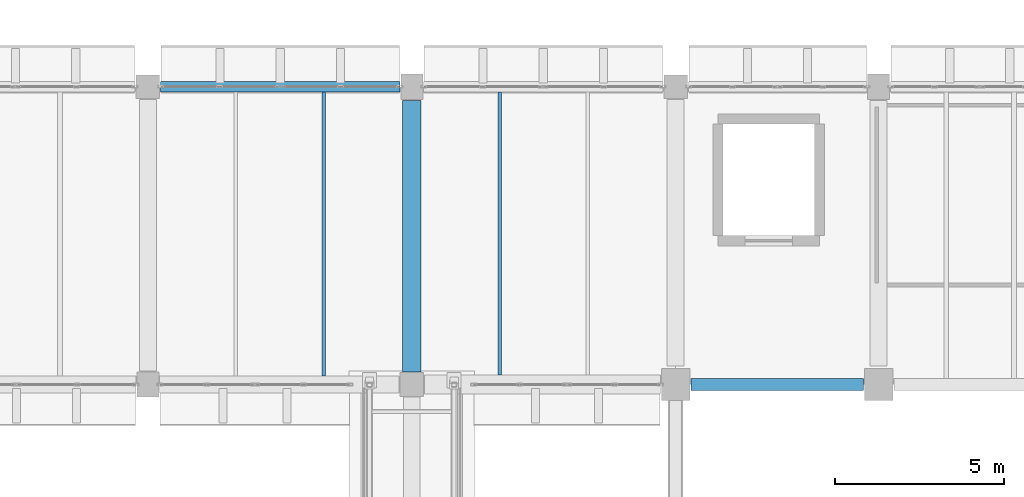
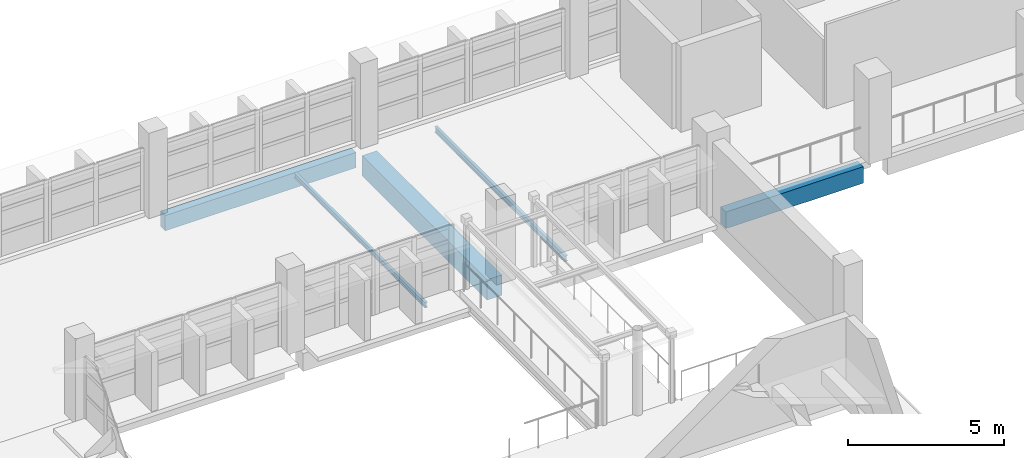
# One storey, part 28 of 75: 5 beams.
"""IFC4 building model written with IfcOpenShell, lengths in metres."""

from ifc_helpers import new_model, si_unit, direction, frame, origin, origin_2d, place, context, subcontext, project, spatial, rectangle, i_section, extrude, material, material_profile, profile_set, type_object, element, save


model = new_model("IFC4")

# Units and contexts
model_context = context("Model", 3, precision=1e-05, world=origin(), true_north=direction((0.0, 1.0)))
body_context = subcontext(model_context, "Body", "Model", "MODEL_VIEW")
ifc_project = project(units=[si_unit("LENGTHUNIT", "METRE"), si_unit("AREAUNIT", "SQUARE_METRE"), si_unit("VOLUMEUNIT", "CUBIC_METRE"), si_unit("PLANEANGLEUNIT", "RADIAN"), si_unit("MASSUNIT", "GRAM", prefix="KILO")], contexts=[model_context])

# Site, building, storey
site_placement = place(None, origin())
site = spatial("IfcSite", under=ifc_project, at=site_placement, CompositionType="ELEMENT")
building_placement = place(site_placement, origin())
building = spatial("IfcBuilding", under=site, at=building_placement, Name="Varnakota Cinema and Media Centre", CompositionType="ELEMENT")
storey_placement = place(building_placement, frame((0.0, 0.0, 8.39990234375)))
storey = spatial("IfcBuildingStorey", under=building, at=storey_placement, Name="L02", CompositionType="ELEMENT", Elevation=8.39990234375)

# Beams
ifc_material_1 = material(Name="Concrete M35", Category="concrete")
ifc_material_profile_1 = material_profile(ifc_material_1, rectangle(XDim=0.550048828125, YDim=0.800048828125, at=origin_2d()), Name="RCB 550x800")
ifc_profile_set_1 = profile_set([ifc_material_profile_1], Name="Concrete M35")
beam_type_1 = type_object("IfcBeamType", Name="BM-RC-550x800", PredefinedType="BEAM", material=ifc_profile_set_1)
beam_1_placement = place(storey_placement, frame((67.199951171875, 35.574951171875, -0.64990234375), z_axis=(0.0, 1.0, 0.0), x_axis=(-1.0, 0.0, 0.0)))
element("IfcBeam", 1, at=beam_1_placement, inside=storey, type_object=beam_type_1, Name="L02 girder J/5-6", PredefinedType="BEAM", context=body_context, shape_type="SweptSolid", body=[
    extrude(rectangle(XDim=0.550048828125, YDim=0.800048828125, at=origin_2d()), origin(), (0.0, 0.0, 1.0), 8.025146484375),
])
ifc_material_2 = material(Name="Concrete M35", Category="concrete")
ifc_material_profile_2 = material_profile(ifc_material_2, rectangle(XDim=0.300048828125, YDim=0.60009765625, at=origin_2d()), Name="RCB 300x600")
ifc_profile_set_2 = profile_set([ifc_material_profile_2], Name="Concrete M35")
beam_type_2 = type_object("IfcBeamType", Name="BM-SP-300x600", PredefinedType="SPANDREL", material=ifc_profile_set_2)
beam_2_placement = place(storey_placement, frame((59.77490234375, 44.0, -0.5498046875), z_axis=(1.0, 0.0, 0.0), x_axis=(0.0, 1.0, 0.0)))
element("IfcBeam", 2, at=beam_2_placement, inside=storey, type_object=beam_type_2, Name="L02 girder H-J/6", PredefinedType="SPANDREL", context=body_context, shape_type="SweptSolid", body=[
    extrude(rectangle(XDim=0.300048828125, YDim=0.60009765625, at=origin_2d()), origin(), (0.0, 0.0, 1.0), 7.0751953125),
])
ifc_material_3 = material(Name="Concrete M40", Category="concrete")
ifc_material_profile_3 = material_profile(ifc_material_3, rectangle(XDim=0.35009765625, YDim=0.64990234375, at=origin_2d()), Name="RCB 350x650")
ifc_profile_set_3 = profile_set([ifc_material_profile_3], Name="Concrete M40")
beam_type_3 = type_object("IfcBeamType", Name="BM-SP-350x650", PredefinedType="SPANDREL", material=ifc_profile_set_3)
beam_3_placement = place(storey_placement, frame((75.449951171875, 35.199951171875, -0.574951171875), z_axis=(1.0, 0.0, 0.0), x_axis=(0.0, 1.0, 0.0)))
element("IfcBeam", 3, at=beam_3_placement, inside=storey, type_object=beam_type_3, Name="L02 girder K-L/5", PredefinedType="SPANDREL", context=body_context, shape_type="SweptSolid", body=[
    extrude(rectangle(XDim=0.35009765625, YDim=0.64990234375, at=origin_2d()), origin(), (0.0, 0.0, 1.0), 5.10009765625),
])
ifc_material_4 = material(Name="Structural steel Grade 350 (E350)", Category="steel")
ifc_material_profile_4 = material_profile(ifc_material_4, i_section(OverallWidth=0.10009765625, OverallDepth=0.199951171875, WebThickness=0.005615234375, FlangeThickness=0.0107421875, FilletRadius=0.010986328125, at=origin_2d()), Name="ISMB 200")
ifc_profile_set_4 = profile_set([ifc_material_profile_4], Name="Structural steel Grade 350 (E350)")
beam_type_4 = type_object("IfcBeamType", Name="BM-ST-ISMB200", PredefinedType="JOIST", material=ifc_profile_set_4)
beam_4_placement = place(storey_placement, frame((64.60009765625, 35.449951171875, -0.349853515625), z_axis=(0.0, 1.0, 0.0), x_axis=(-1.0, 0.0, 0.0)))
element("IfcBeam", 4, at=beam_4_placement, inside=storey, type_object=beam_type_4, Name="L02 steel joist H-J/5-6 #2", PredefinedType="JOIST", context=body_context, shape_type="SweptSolid", body=[
    extrude(i_section(OverallWidth=0.10009765625, OverallDepth=0.199951171875, WebThickness=0.005615234375, FlangeThickness=0.0107421875, FilletRadius=0.010986328125, at=origin_2d()), origin(), (0.0, 0.0, 1.0), 8.400146484375),
])
ifc_material_5 = material(Name="Structural steel Grade 350 (E350)", Category="steel")
ifc_material_profile_5 = material_profile(ifc_material_5, i_section(OverallWidth=0.110107421875, OverallDepth=0.22509765625, WebThickness=0.006591796875, FlangeThickness=0.01171875, FilletRadius=0.011962890625, at=origin_2d()), Name="ISMB 225")
ifc_profile_set_5 = profile_set([ifc_material_profile_5], Name="Structural steel Grade 350 (E350)")
beam_type_5 = type_object("IfcBeamType", Name="BM-ST-ISMB225", PredefinedType="JOIST", material=ifc_profile_set_5)
beam_5_placement = place(storey_placement, frame((69.800048828125, 35.47509765625, -0.3623046875), z_axis=(0.0, 1.0, 0.0), x_axis=(-1.0, 0.0, 0.0)))
element("IfcBeam", 5, at=beam_5_placement, inside=storey, type_object=beam_type_5, Name="L02 steel joist J-K/5-6 #1", PredefinedType="JOIST", context=body_context, shape_type="SweptSolid", body=[
    extrude(i_section(OverallWidth=0.110107421875, OverallDepth=0.22509765625, WebThickness=0.006591796875, FlangeThickness=0.01171875, FilletRadius=0.011962890625, at=origin_2d()), origin(), (0.0, 0.0, 1.0), 8.375),
])

save(model, "model.ifc")
